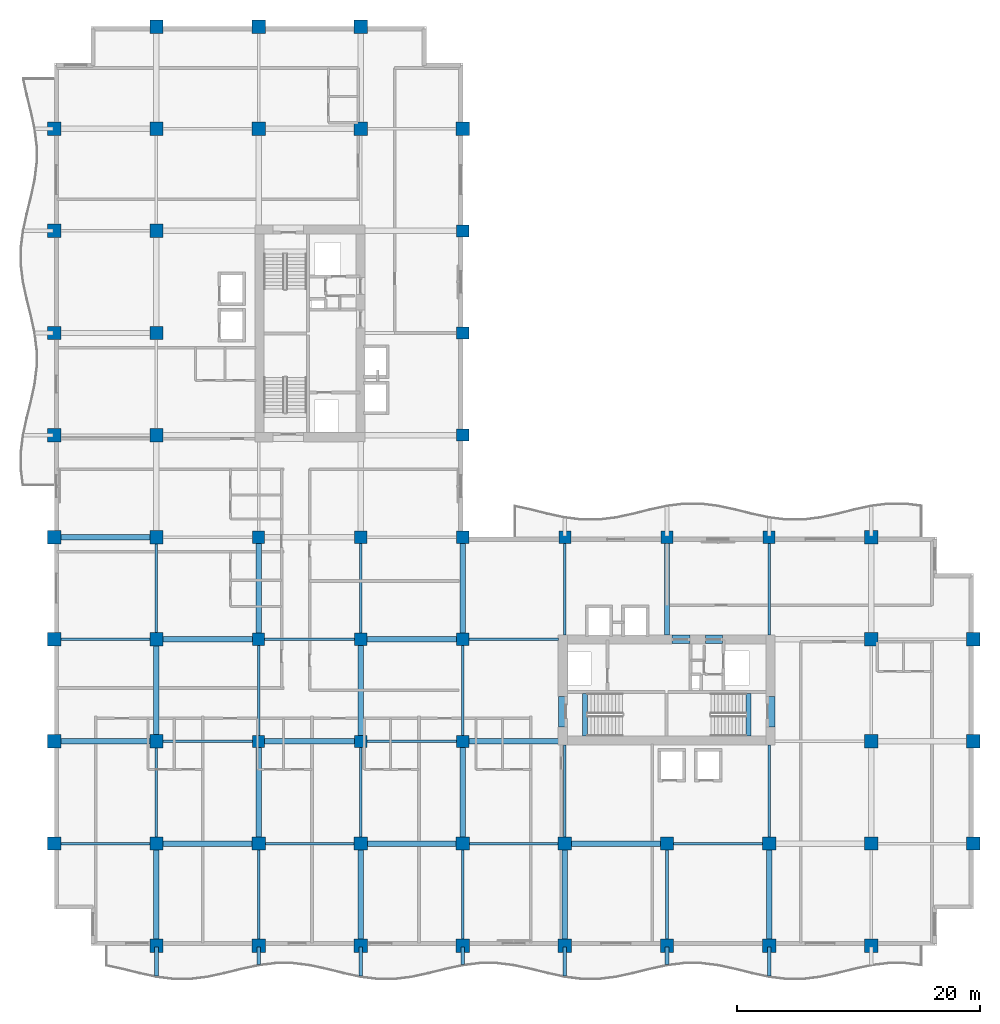
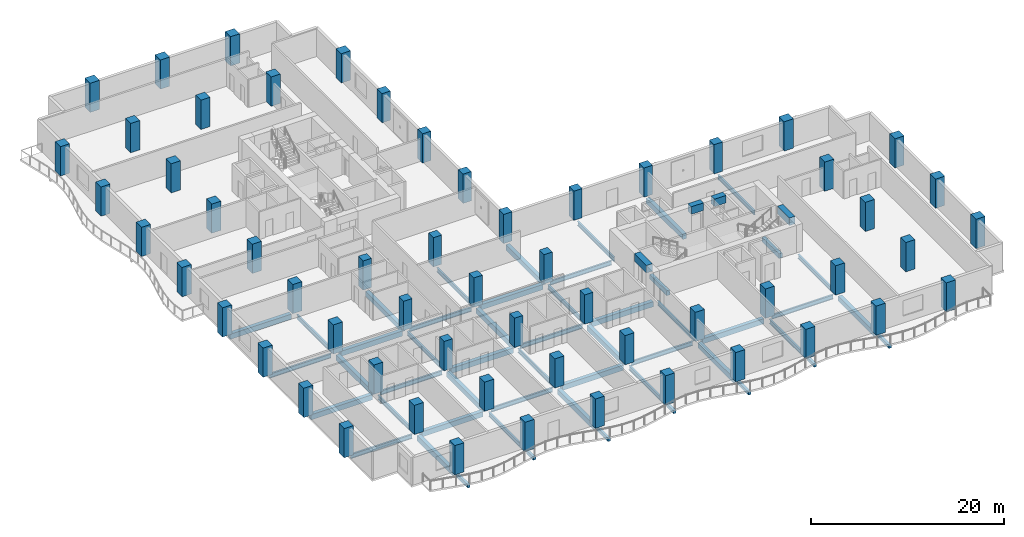
# One storey, part 1 of 16: 58 columns, 55 beams.
"""IFC4 building model written with IfcOpenShell, lengths in metres."""

from ifc_helpers import new_model, si_unit, direction, frame, origin, origin_2d, place, context, subcontext, project, spatial, rectangle, i_section, extrude, material, material_profile, profile_set, type_object, element, save


model = new_model("IFC4")

# Units and contexts
model_context = context("Model", 3, precision=1e-05, world=origin(), true_north=direction((0.0, 1.0)))
body_context = subcontext(model_context, "Body", "Model", "MODEL_VIEW")
ifc_project = project(units=[si_unit("LENGTHUNIT", "METRE"), si_unit("AREAUNIT", "SQUARE_METRE"), si_unit("VOLUMEUNIT", "CUBIC_METRE"), si_unit("PLANEANGLEUNIT", "RADIAN"), si_unit("MASSUNIT", "GRAM", prefix="KILO")], contexts=[model_context])

# Site, building, storey
site_placement = place(None, origin())
site = spatial("IfcSite", under=ifc_project, at=site_placement, CompositionType="ELEMENT")
building_placement = place(site_placement, origin())
building = spatial("IfcBuilding", under=site, at=building_placement, Name="Koriwani Terraces Tower", CompositionType="ELEMENT")
storey_placement = place(building_placement, frame((0.0, 0.0, 171.699951171875)))
storey = spatial("IfcBuildingStorey", under=building, at=storey_placement, Name="L41", CompositionType="ELEMENT", Elevation=171.699951171875)

# Columns
ifc_material_1 = material(Name="Concrete C50/60", Category="concrete")
ifc_material_profile_1 = material_profile(ifc_material_1, rectangle(XDim=1.0, YDim=1.0, at=origin_2d()), Name="Concrete C50/60", Category="LoadBearing")
ifc_profile_set_1 = profile_set([ifc_material_profile_1], Name="Concrete C50/60")
column_type_1 = type_object("IfcColumnType", Name="COL_RC_1000X1000", PredefinedType="COLUMN", material=ifc_profile_set_1)
for number, where, z_axis, x_axis, name in (
    (1, (16.800048828125, 16.800048828125, 0.0), (0.0, 0.0, 1.0), (1.0, 0.0, 0.0), "L41 Column 3/C"),
    (2, (16.800048828125, 25.199951171875, 0.0), (0.0, 0.0, 1.0), (1.0, 0.0, 0.0), "L41 Column 3/D"),
    (3, (16.800048828125, 33.60009765625, 0.0), (0.0, 0.0, 1.0), (1.0, 0.0, 0.0), "L41 Column 3/E"),
    (4, (25.199951171875, 16.800048828125, 0.0), (0.0, 0.0, 1.0), (1.0, 0.0, 0.0), "L41 Column 4/C"),
    (5, (25.199951171875, 25.199951171875, 0.0), (0.0, 0.0, 1.0), (1.0, 0.0, 0.0), "L41 Column 4/D"),
    (6, (25.199951171875, 33.60009765625, 0.0), (0.0, 0.0, 1.0), (1.0, 0.0, 0.0), "L41 Column 4/E"),
    (7, (33.60009765625, 16.800048828125, 0.0), (0.0, 0.0, 1.0), (1.0, 0.0, 0.0), "L41 Column 5/C"),
    (8, (33.60009765625, 25.199951171875, 0.0), (0.0, 0.0, 1.0), (1.0, 0.0, 0.0), "L41 Column 5/D"),
    (9, (33.60009765625, 33.60009765625, 0.0), (0.0, 0.0, 1.0), (1.0, 0.0, 0.0), "L41 Column 5/E"),
    (10, (33.60009765625, 42.0, 0.0), (0.0, 0.0, 1.0), (1.0, 0.0, 0.0), "L41 Column 5/F"),
    (11, (33.60009765625, 50.39990234375, 0.0), (0.0, 0.0, 1.0), (1.0, 0.0, 0.0), "L41 Column 5/G"),
    (12, (33.60009765625, 58.800048828125, 0.0), (0.0, 0.0, 1.0), (1.0, 0.0, 0.0), "L41 Column 5/H"),
    (13, (42.0, 33.60009765625, 0.0), (0.0, 0.0, 1.0), (1.0, 0.0, 0.0), "L41 Column 6/E"),
    (14, (50.39990234375, 33.60009765625, 0.0), (0.0, 0.0, 1.0), (1.0, 0.0, 0.0), "L41 Column 7/E"),
    (15, (58.800048828125, 33.60009765625, 0.0), (0.0, 0.0, 1.0), (1.0, 0.0, 0.0), "L41 Column 8/E"),
):
    element("IfcColumn", number, at=place(storey_placement, frame(where, z_axis=z_axis, x_axis=x_axis)), inside=storey, type_object=column_type_1, Name=name, PredefinedType="COLUMN", context=body_context, shape_type="SweptSolid", body=[
        extrude(rectangle(XDim=1.0, YDim=1.0, at=origin_2d()), origin(), (0.0, 0.0, 1.0), 3.699951171875),
    ])
ifc_material_profile_2 = material_profile(ifc_material_1, rectangle(XDim=1.10009765625, YDim=1.10009765625, at=origin_2d()), Name="Concrete C50/60", Category="LoadBearing")
ifc_profile_set_2 = profile_set([ifc_material_profile_2], Name="Concrete C50/60")
column_type_2 = type_object("IfcColumnType", Name="COL_RC_1100X1100", PredefinedType="COLUMN", material=ifc_profile_set_2)
for number, where, z_axis, x_axis, name in (
    (16, (0.0, 8.39990234375, 0.0), (0.0, 0.0, 1.0), (1.0, 0.0, 0.0), "L41 Column 1/B"),
    (17, (0.0, 16.800048828125, 0.0), (0.0, 0.0, 1.0), (1.0, 0.0, 0.0), "L41 Column 1/C"),
    (18, (0.0, 25.199951171875, 0.0), (0.0, 0.0, 1.0), (1.0, 0.0, 0.0), "L41 Column 1/D"),
    (19, (0.0, 33.60009765625, 0.0), (0.0, 0.0, 1.0), (1.0, 0.0, 0.0), "L41 Column 1/E"),
    (20, (0.0, 42.0, 0.0), (0.0, 0.0, 1.0), (1.0, 0.0, 0.0), "L41 Column 1/F"),
    (21, (0.0, 50.39990234375, 0.0), (0.0, 0.0, 1.0), (1.0, 0.0, 0.0), "L41 Column 1/G"),
    (22, (0.0, 58.800048828125, 0.0), (0.0, 0.0, 1.0), (1.0, 0.0, 0.0), "L41 Column 1/H"),
    (23, (0.0, 67.199951171875, 0.0), (0.0, 0.0, 1.0), (1.0, 0.0, 0.0), "L41 Column 1/I"),
    (24, (8.39990234375, 0.0, 0.0), (0.0, 0.0, 1.0), (1.0, 0.0, 0.0), "L41 Column 2/A"),
    (25, (8.39990234375, 8.39990234375, 0.0), (0.0, 0.0, 1.0), (1.0, 0.0, 0.0), "L41 Column 2/B"),
    (26, (8.39990234375, 16.800048828125, 0.0), (0.0, 0.0, 1.0), (1.0, 0.0, 0.0), "L41 Column 2/C"),
    (27, (8.39990234375, 25.199951171875, 0.0), (0.0, 0.0, 1.0), (1.0, 0.0, 0.0), "L41 Column 2/D"),
    (28, (8.39990234375, 33.60009765625, 0.0), (0.0, 0.0, 1.0), (1.0, 0.0, 0.0), "L41 Column 2/E"),
    (29, (8.39990234375, 42.0, 0.0), (0.0, 0.0, 1.0), (1.0, 0.0, 0.0), "L41 Column 2/F"),
    (30, (8.39990234375, 50.39990234375, 0.0), (0.0, 0.0, 1.0), (1.0, 0.0, 0.0), "L41 Column 2/G"),
    (31, (8.39990234375, 58.800048828125, 0.0), (0.0, 0.0, 1.0), (1.0, 0.0, 0.0), "L41 Column 2/H"),
    (32, (8.39990234375, 67.199951171875, 0.0), (0.0, 0.0, 1.0), (1.0, 0.0, 0.0), "L41 Column 2/I"),
    (33, (8.39990234375, 75.60009765625, 0.0), (0.0, 0.0, 1.0), (1.0, 0.0, 0.0), "L41 Column 2/J"),
    (34, (16.800048828125, 0.0, 0.0), (0.0, 0.0, 1.0), (1.0, 0.0, 0.0), "L41 Column 3/A"),
    (35, (16.800048828125, 8.39990234375, 0.0), (0.0, 0.0, 1.0), (1.0, 0.0, 0.0), "L41 Column 3/B"),
    (36, (16.800048828125, 67.199951171875, 0.0), (0.0, 0.0, 1.0), (1.0, 0.0, 0.0), "L41 Column 3/I"),
    (37, (16.800048828125, 75.60009765625, 0.0), (0.0, 0.0, 1.0), (1.0, 0.0, 0.0), "L41 Column 3/J"),
    (38, (25.199951171875, 0.0, 0.0), (0.0, 0.0, 1.0), (1.0, 0.0, 0.0), "L41 Column 4/A"),
    (39, (25.199951171875, 8.39990234375, 0.0), (0.0, 0.0, 1.0), (1.0, 0.0, 0.0), "L41 Column 4/B"),
    (40, (25.199951171875, 67.199951171875, 0.0), (0.0, 0.0, 1.0), (1.0, 0.0, 0.0), "L41 Column 4/I"),
    (41, (25.199951171875, 75.60009765625, 0.0), (0.0, 0.0, 1.0), (1.0, 0.0, 0.0), "L41 Column 4/J"),
    (42, (33.60009765625, 0.0, 0.0), (0.0, 0.0, 1.0), (1.0, 0.0, 0.0), "L41 Column 5/A"),
    (43, (33.60009765625, 8.39990234375, 0.0), (0.0, 0.0, 1.0), (1.0, 0.0, 0.0), "L41 Column 5/B"),
    (44, (33.60009765625, 67.199951171875, 0.0), (0.0, 0.0, 1.0), (1.0, 0.0, 0.0), "L41 Column 5/I"),
    (45, (42.0, 0.0, 0.0), (0.0, 0.0, 1.0), (1.0, 0.0, 0.0), "L41 Column 6/A"),
    (46, (42.0, 8.39990234375, 0.0), (0.0, 0.0, 1.0), (1.0, 0.0, 0.0), "L41 Column 6/B"),
    (47, (50.39990234375, 0.0, 0.0), (0.0, 0.0, 1.0), (1.0, 0.0, 0.0), "L41 Column 7/A"),
    (48, (50.39990234375, 8.39990234375, 0.0), (0.0, 0.0, 1.0), (1.0, 0.0, 0.0), "L41 Column 7/B"),
    (49, (58.800048828125, 0.0, 0.0), (0.0, 0.0, 1.0), (1.0, 0.0, 0.0), "L41 Column 8/A"),
    (50, (58.800048828125, 8.39990234375, 0.0), (0.0, 0.0, 1.0), (1.0, 0.0, 0.0), "L41 Column 8/B"),
    (51, (67.199951171875, 0.0, 0.0), (0.0, 0.0, 1.0), (1.0, 0.0, 0.0), "L41 Column 9/A"),
    (52, (67.199951171875, 8.39990234375, 0.0), (0.0, 0.0, 1.0), (1.0, 0.0, 0.0), "L41 Column 9/B"),
    (53, (67.199951171875, 16.800048828125, 0.0), (0.0, 0.0, 1.0), (1.0, 0.0, 0.0), "L41 Column 9/C"),
    (54, (67.199951171875, 25.199951171875, 0.0), (0.0, 0.0, 1.0), (1.0, 0.0, 0.0), "L41 Column 9/D"),
    (55, (67.199951171875, 33.60009765625, 0.0), (0.0, 0.0, 1.0), (1.0, 0.0, 0.0), "L41 Column 9/E"),
    (56, (75.60009765625, 8.39990234375, 0.0), (0.0, 0.0, 1.0), (1.0, 0.0, 0.0), "L41 Column 10/B"),
    (57, (75.60009765625, 16.800048828125, 0.0), (0.0, 0.0, 1.0), (1.0, 0.0, 0.0), "L41 Column 10/C"),
    (58, (75.60009765625, 25.199951171875, 0.0), (0.0, 0.0, 1.0), (1.0, 0.0, 0.0), "L41 Column 10/D"),
):
    element("IfcColumn", number, at=place(storey_placement, frame(where, z_axis=z_axis, x_axis=x_axis)), inside=storey, type_object=column_type_2, Name=name, PredefinedType="COLUMN", context=body_context, shape_type="SweptSolid", body=[
        extrude(rectangle(XDim=1.10009765625, YDim=1.10009765625, at=origin_2d()), origin(), (0.0, 0.0, 1.0), 3.699951171875),
    ])

# Beams
ifc_material_2 = material(Name="Concrete C40/50", Category="concrete")
ifc_material_profile_3 = material_profile(ifc_material_2, rectangle(XDim=0.300048828125, YDim=0.39990234375, at=origin_2d()), Name="Concrete C40/50", Category="LoadBearing")
ifc_profile_set_3 = profile_set([ifc_material_profile_3], Name="Concrete C40/50")
beam_type_1 = type_object("IfcBeamType", Name="BEAM_RC_BALCONY_RIB_300X400", PredefinedType="JOIST", material=ifc_profile_set_3)
beam_1_placement = place(storey_placement, frame((8.39990234375, -2.502197265625, -0.429931640625), z_axis=(0.0, 1.0, 0.0), x_axis=(-1.0, 0.0, 0.0)))
element("IfcBeam", 59, at=beam_1_placement, inside=storey, type_object=beam_type_1, Name="L41 Balcony Bracket Rib S-1", PredefinedType="JOIST", context=body_context, shape_type="SweptSolid", body=[
    extrude(rectangle(XDim=0.300048828125, YDim=0.39990234375, at=origin_2d()), origin(), (0.0, 0.0, 1.0), 2.402099609375),
])
beam_2_placement = place(storey_placement, frame((16.800048828125, -1.547607421875, -0.429931640625), z_axis=(0.0, 1.0, 0.0), x_axis=(-1.0, 0.0, 0.0)))
element("IfcBeam", 60, at=beam_2_placement, inside=storey, type_object=beam_type_1, Name="L41 Balcony Bracket Rib S-2", PredefinedType="JOIST", context=body_context, shape_type="SweptSolid", body=[
    extrude(rectangle(XDim=0.300048828125, YDim=0.39990234375, at=origin_2d()), origin(), (0.0, 0.0, 1.0), 1.447509765625),
])
beam_3_placement = place(storey_placement, frame((25.199951171875, -2.502197265625, -0.429931640625), z_axis=(0.0, 1.0, 0.0), x_axis=(-1.0, 0.0, 0.0)))
element("IfcBeam", 61, at=beam_3_placement, inside=storey, type_object=beam_type_1, Name="L41 Balcony Bracket Rib S-3", PredefinedType="JOIST", context=body_context, shape_type="SweptSolid", body=[
    extrude(rectangle(XDim=0.300048828125, YDim=0.39990234375, at=origin_2d()), origin(), (0.0, 0.0, 1.0), 2.402099609375),
])
beam_4_placement = place(storey_placement, frame((33.60009765625, -1.547607421875, -0.429931640625), z_axis=(0.0, 1.0, 0.0), x_axis=(-1.0, 0.0, 0.0)))
element("IfcBeam", 62, at=beam_4_placement, inside=storey, type_object=beam_type_1, Name="L41 Balcony Bracket Rib S-4", PredefinedType="JOIST", context=body_context, shape_type="SweptSolid", body=[
    extrude(rectangle(XDim=0.300048828125, YDim=0.39990234375, at=origin_2d()), origin(), (0.0, 0.0, 1.0), 1.447509765625),
])
beam_5_placement = place(storey_placement, frame((42.0, -2.502197265625, -0.429931640625), z_axis=(0.0, 1.0, 0.0), x_axis=(-1.0, 0.0, 0.0)))
element("IfcBeam", 63, at=beam_5_placement, inside=storey, type_object=beam_type_1, Name="L41 Balcony Bracket Rib S-5", PredefinedType="JOIST", context=body_context, shape_type="SweptSolid", body=[
    extrude(rectangle(XDim=0.300048828125, YDim=0.39990234375, at=origin_2d()), origin(), (0.0, 0.0, 1.0), 2.402099609375),
])
beam_6_placement = place(storey_placement, frame((50.39990234375, -1.547607421875, -0.429931640625), z_axis=(0.0, 1.0, 0.0), x_axis=(-1.0, 0.0, 0.0)))
element("IfcBeam", 64, at=beam_6_placement, inside=storey, type_object=beam_type_1, Name="L41 Balcony Bracket Rib S-6", PredefinedType="JOIST", context=body_context, shape_type="SweptSolid", body=[
    extrude(rectangle(XDim=0.300048828125, YDim=0.39990234375, at=origin_2d()), origin(), (0.0, 0.0, 1.0), 1.447509765625),
])
beam_7_placement = place(storey_placement, frame((58.800048828125, -2.502197265625, -0.429931640625), z_axis=(0.0, 1.0, 0.0), x_axis=(-1.0, 0.0, 0.0)))
element("IfcBeam", 65, at=beam_7_placement, inside=storey, type_object=beam_type_1, Name="L41 Balcony Bracket Rib S-7", PredefinedType="JOIST", context=body_context, shape_type="SweptSolid", body=[
    extrude(rectangle(XDim=0.300048828125, YDim=0.39990234375, at=origin_2d()), origin(), (0.0, 0.0, 1.0), 2.402099609375),
])
ifc_material_3 = material(Name="Concrete C60/75", Category="concrete")
ifc_material_profile_4 = material_profile(ifc_material_3, rectangle(XDim=0.699951171875, YDim=0.949951171875, at=origin_2d()), Name="Concrete C60/75", Category="LoadBearing")
ifc_profile_set_4 = profile_set([ifc_material_profile_4], Name="Concrete C60/75")
beam_type_2 = type_object("IfcBeamType", Name="BEAM_RC_COUPLING_700X950", PredefinedType="LINTEL", material=ifc_profile_set_4)
beam_8_placement = place(storey_placement, frame((50.800048828125, 25.199951171875, 2.9951171875), z_axis=(1.0, 0.0, 0.0), x_axis=(0.0, 1.0, 0.0)))
element("IfcBeam", 66, at=beam_8_placement, inside=storey, type_object=beam_type_2, Name="L41 Core Coupling Lintel Beam EN1", PredefinedType="LINTEL", context=body_context, shape_type="SweptSolid", body=[
    extrude(rectangle(XDim=0.699951171875, YDim=0.949951171875, at=origin_2d()), origin(), (0.0, 0.0, 1.0), 1.47998046875),
])
beam_9_placement = place(storey_placement, frame((53.550048828125, 25.199951171875, 2.9951171875), z_axis=(1.0, 0.0, 0.0), x_axis=(0.0, 1.0, 0.0)))
element("IfcBeam", 67, at=beam_9_placement, inside=storey, type_object=beam_type_2, Name="L41 Core Coupling Lintel Beam EN2", PredefinedType="LINTEL", context=body_context, shape_type="SweptSolid", body=[
    extrude(rectangle(XDim=0.699951171875, YDim=0.949951171875, at=origin_2d()), origin(), (0.0, 0.0, 1.0), 1.39990234375),
])
for number, where, z_axis, x_axis, name in (
    (68, (41.824951171875, 18.0, 2.9951171875), (0.0, 1.0, 0.0), (-1.0, 0.0, 0.0), "L41 Core Coupling Lintel Beam EW"),
    (69, (58.925048828125, 18.0, 2.9951171875), (0.0, 1.0, 0.0), (-1.0, 0.0, 0.0), "L41 Core Coupling Lintel Beam EE"),
):
    element("IfcBeam", number, at=place(storey_placement, frame(where, z_axis=z_axis, x_axis=x_axis)), inside=storey, type_object=beam_type_2, Name=name, PredefinedType="LINTEL", context=body_context, shape_type="SweptSolid", body=[
        extrude(rectangle(XDim=0.699951171875, YDim=0.949951171875, at=origin_2d()), origin(), (0.0, 0.0, 1.0), 2.5),
    ])
ifc_material_profile_5 = material_profile(ifc_material_2, rectangle(XDim=0.39990234375, YDim=0.60009765625, at=origin_2d()), Name="Concrete C40/50", Category="LoadBearing")
ifc_profile_set_5 = profile_set([ifc_material_profile_5], Name="Concrete C40/50")
beam_type_3 = type_object("IfcBeamType", Name="BEAM_RC_GRID_400X600", PredefinedType="BEAM", material=ifc_profile_set_5)
for number, where, z_axis, x_axis, name in (
    (70, (43.655029296875, 17.25, -0.300048828125), (0.0, 1.0, 0.0), (-1.0, 0.0, 0.0), "L41 Stairwell Header Trimmer Beam ST-E1"),
    (71, (57.094970703125, 17.25, -0.300048828125), (0.0, 1.0, 0.0), (-1.0, 0.0, 0.0), "L41 Stairwell Header Trimmer Beam ST-E2"),
):
    element("IfcBeam", number, at=place(storey_placement, frame(where, z_axis=z_axis, x_axis=x_axis)), inside=storey, type_object=beam_type_3, Name=name, PredefinedType="BEAM", context=body_context, shape_type="SweptSolid", body=[
        extrude(rectangle(XDim=0.39990234375, YDim=0.60009765625, at=origin_2d()), origin(), (0.0, 0.0, 1.0), 3.5),
    ])
ifc_material_profile_6 = material_profile(ifc_material_1, rectangle(XDim=0.449951171875, YDim=0.64990234375, at=origin_2d()), Name="Concrete C50/60", Category="LoadBearing")
ifc_profile_set_6 = profile_set([ifc_material_profile_6], Name="Concrete C50/60")
beam_type_4 = type_object("IfcBeamType", Name="BEAM_RC_GRID_450X650", PredefinedType="BEAM", material=ifc_profile_set_6)
for number, where, z_axis, x_axis, name in (
    (72, (8.929931640625, 8.39990234375, -0.554931640625), (1.0, 0.0, 0.0), (0.0, 1.0, 0.0), "L41 Grid Beam B (8.4-16.8m)"),
    (73, (25.72998046875, 8.39990234375, -0.554931640625), (1.0, 0.0, 0.0), (0.0, 1.0, 0.0), "L41 Grid Beam B (25.2-33.6m)"),
    (74, (42.530029296875, 8.39990234375, -0.554931640625), (1.0, 0.0, 0.0), (0.0, 1.0, 0.0), "L41 Grid Beam B (42.0-50.4m)"),
    (75, (0.530029296875, 16.800048828125, -0.554931640625), (1.0, 0.0, 0.0), (0.0, 1.0, 0.0), "L41 Grid Beam C (0.0-8.4m)"),
):
    element("IfcBeam", number, at=place(storey_placement, frame(where, z_axis=z_axis, x_axis=x_axis)), inside=storey, type_object=beam_type_4, Name=name, PredefinedType="BEAM", context=body_context, shape_type="SweptSolid", body=[
        extrude(rectangle(XDim=0.449951171875, YDim=0.64990234375, at=origin_2d()), origin(), (0.0, 0.0, 1.0), 7.340087890625),
    ])
beam_10_placement = place(storey_placement, frame((17.280029296875, 16.800048828125, -0.554931640625), z_axis=(1.0, 0.0, 0.0), x_axis=(0.0, 1.0, 0.0)))
element("IfcBeam", 76, at=beam_10_placement, inside=storey, type_object=beam_type_4, Name="L41 Grid Beam C (16.8-25.2m)", PredefinedType="BEAM", context=body_context, shape_type="SweptSolid", body=[
    extrude(rectangle(XDim=0.449951171875, YDim=0.64990234375, at=origin_2d()), origin(), (0.0, 0.0, 1.0), 7.43994140625),
])
beam_11_placement = place(storey_placement, frame((34.080078125, 16.800048828125, -0.554931640625), z_axis=(1.0, 0.0, 0.0), x_axis=(0.0, 1.0, 0.0)))
element("IfcBeam", 77, at=beam_11_placement, inside=storey, type_object=beam_type_4, Name="L41 Grid Beam C (33.6-42.0m)", PredefinedType="BEAM", context=body_context, shape_type="SweptSolid", body=[
    extrude(rectangle(XDim=0.449951171875, YDim=0.64990234375, at=origin_2d()), origin(), (0.0, 0.0, 1.0), 7.389892578125),
])
beam_12_placement = place(storey_placement, frame((8.929931640625, 25.199951171875, -0.554931640625), z_axis=(1.0, 0.0, 0.0), x_axis=(0.0, 1.0, 0.0)))
element("IfcBeam", 78, at=beam_12_placement, inside=storey, type_object=beam_type_4, Name="L41 Grid Beam D (8.4-16.8m)", PredefinedType="BEAM", context=body_context, shape_type="SweptSolid", body=[
    extrude(rectangle(XDim=0.449951171875, YDim=0.64990234375, at=origin_2d()), origin(), (0.0, 0.0, 1.0), 7.39013671875),
])
beam_13_placement = place(storey_placement, frame((25.679931640625, 25.199951171875, -0.554931640625), z_axis=(1.0, 0.0, 0.0), x_axis=(0.0, 1.0, 0.0)))
element("IfcBeam", 79, at=beam_13_placement, inside=storey, type_object=beam_type_4, Name="L41 Grid Beam D (25.2-33.6m)", PredefinedType="BEAM", context=body_context, shape_type="SweptSolid", body=[
    extrude(rectangle(XDim=0.449951171875, YDim=0.64990234375, at=origin_2d()), origin(), (0.0, 0.0, 1.0), 7.440185546875),
])
for number, where, z_axis, x_axis, name in (
    (80, (0.530029296875, 33.60009765625, -0.554931640625), (1.0, 0.0, 0.0), (0.0, 1.0, 0.0), "L41 Grid Beam E (0.0-8.4m)"),
    (81, (8.39990234375, 0.530029296875, -0.554931640625), (0.0, 1.0, 0.0), (-1.0, 0.0, 0.0), "L41 Grid Beam 2 (0.0-8.4m)"),
):
    element("IfcBeam", number, at=place(storey_placement, frame(where, z_axis=z_axis, x_axis=x_axis)), inside=storey, type_object=beam_type_4, Name=name, PredefinedType="BEAM", context=body_context, shape_type="SweptSolid", body=[
        extrude(rectangle(XDim=0.449951171875, YDim=0.64990234375, at=origin_2d()), origin(), (0.0, 0.0, 1.0), 7.340087890625),
    ])
beam_14_placement = place(storey_placement, frame((8.39990234375, 17.330078125, -0.554931640625), z_axis=(0.0, 1.0, 0.0), x_axis=(-1.0, 0.0, 0.0)))
element("IfcBeam", 82, at=beam_14_placement, inside=storey, type_object=beam_type_4, Name="L41 Grid Beam 2 (16.8-25.2m)", PredefinedType="BEAM", context=body_context, shape_type="SweptSolid", body=[
    extrude(rectangle(XDim=0.449951171875, YDim=0.64990234375, at=origin_2d()), origin(), (0.0, 0.0, 1.0), 7.33984375),
])
beam_15_placement = place(storey_placement, frame((16.800048828125, 8.929931640625, -0.554931640625), z_axis=(0.0, 1.0, 0.0), x_axis=(-1.0, 0.0, 0.0)))
element("IfcBeam", 83, at=beam_15_placement, inside=storey, type_object=beam_type_4, Name="L41 Grid Beam 3 (8.4-16.8m)", PredefinedType="BEAM", context=body_context, shape_type="SweptSolid", body=[
    extrude(rectangle(XDim=0.449951171875, YDim=0.64990234375, at=origin_2d()), origin(), (0.0, 0.0, 1.0), 7.39013671875),
])
beam_16_placement = place(storey_placement, frame((16.800048828125, 25.679931640625, -0.554931640625), z_axis=(0.0, 1.0, 0.0), x_axis=(-1.0, 0.0, 0.0)))
element("IfcBeam", 84, at=beam_16_placement, inside=storey, type_object=beam_type_4, Name="L41 Grid Beam 3 (25.2-33.6m)", PredefinedType="BEAM", context=body_context, shape_type="SweptSolid", body=[
    extrude(rectangle(XDim=0.449951171875, YDim=0.64990234375, at=origin_2d()), origin(), (0.0, 0.0, 1.0), 7.440185546875),
])
beam_17_placement = place(storey_placement, frame((25.199951171875, 0.530029296875, -0.554931640625), z_axis=(0.0, 1.0, 0.0), x_axis=(-1.0, 0.0, 0.0)))
element("IfcBeam", 85, at=beam_17_placement, inside=storey, type_object=beam_type_4, Name="L41 Grid Beam 4 (0.0-8.4m)", PredefinedType="BEAM", context=body_context, shape_type="SweptSolid", body=[
    extrude(rectangle(XDim=0.449951171875, YDim=0.64990234375, at=origin_2d()), origin(), (0.0, 0.0, 1.0), 7.340087890625),
])
beam_18_placement = place(storey_placement, frame((25.199951171875, 17.280029296875, -0.554931640625), z_axis=(0.0, 1.0, 0.0), x_axis=(-1.0, 0.0, 0.0)))
element("IfcBeam", 86, at=beam_18_placement, inside=storey, type_object=beam_type_4, Name="L41 Grid Beam 4 (16.8-25.2m)", PredefinedType="BEAM", context=body_context, shape_type="SweptSolid", body=[
    extrude(rectangle(XDim=0.449951171875, YDim=0.64990234375, at=origin_2d()), origin(), (0.0, 0.0, 1.0), 7.43994140625),
])
beam_19_placement = place(storey_placement, frame((33.60009765625, 8.929931640625, -0.554931640625), z_axis=(0.0, 1.0, 0.0), x_axis=(-1.0, 0.0, 0.0)))
element("IfcBeam", 87, at=beam_19_placement, inside=storey, type_object=beam_type_4, Name="L41 Grid Beam 5 (8.4-16.8m)", PredefinedType="BEAM", context=body_context, shape_type="SweptSolid", body=[
    extrude(rectangle(XDim=0.449951171875, YDim=0.64990234375, at=origin_2d()), origin(), (0.0, 0.0, 1.0), 7.39013671875),
])
beam_20_placement = place(storey_placement, frame((33.60009765625, 25.679931640625, -0.554931640625), z_axis=(0.0, 1.0, 0.0), x_axis=(-1.0, 0.0, 0.0)))
element("IfcBeam", 88, at=beam_20_placement, inside=storey, type_object=beam_type_4, Name="L41 Grid Beam 5 (25.2-33.6m)", PredefinedType="BEAM", context=body_context, shape_type="SweptSolid", body=[
    extrude(rectangle(XDim=0.449951171875, YDim=0.64990234375, at=origin_2d()), origin(), (0.0, 0.0, 1.0), 7.440185546875),
])
beam_21_placement = place(storey_placement, frame((42.0, 0.530029296875, -0.554931640625), z_axis=(0.0, 1.0, 0.0), x_axis=(-1.0, 0.0, 0.0)))
element("IfcBeam", 89, at=beam_21_placement, inside=storey, type_object=beam_type_4, Name="L41 Grid Beam 6 (0.0-8.4m)", PredefinedType="BEAM", context=body_context, shape_type="SweptSolid", body=[
    extrude(rectangle(XDim=0.449951171875, YDim=0.64990234375, at=origin_2d()), origin(), (0.0, 0.0, 1.0), 7.340087890625),
])
beam_22_placement = place(storey_placement, frame((50.39990234375, 25.554931640625, -0.554931640625), z_axis=(0.0, 1.0, 0.0), x_axis=(-1.0, 0.0, 0.0)))
element("IfcBeam", 90, at=beam_22_placement, inside=storey, type_object=beam_type_4, Name="L41 Grid Beam 7 (25.2-33.6m)", PredefinedType="BEAM", context=body_context, shape_type="SweptSolid", body=[
    extrude(rectangle(XDim=0.449951171875, YDim=0.64990234375, at=origin_2d()), origin(), (0.0, 0.0, 1.0), 7.565185546875),
])
beam_23_placement = place(storey_placement, frame((58.800048828125, 0.530029296875, -0.554931640625), z_axis=(0.0, 1.0, 0.0), x_axis=(-1.0, 0.0, 0.0)))
element("IfcBeam", 91, at=beam_23_placement, inside=storey, type_object=beam_type_4, Name="L41 Grid Beam 8 (0.0-8.4m)", PredefinedType="BEAM", context=body_context, shape_type="SweptSolid", body=[
    extrude(rectangle(XDim=0.449951171875, YDim=0.64990234375, at=origin_2d()), origin(), (0.0, 0.0, 1.0), 7.340087890625),
])
ifc_material_4 = material(Name="Steel ASTM A572 Grade 50", Category="steel")
ifc_material_profile_7 = material_profile(ifc_material_4, i_section(OverallWidth=0.2109375, OverallDepth=0.5390625, WebThickness=0.01171875, FlangeThickness=0.018798828125, at=origin_2d()), Name="Steel ASTM A572 Grade 50", Category="LoadBearing")
ifc_profile_set_7 = profile_set([ifc_material_profile_7], Name="Steel ASTM A572 Grade 50")
beam_type_5 = type_object("IfcBeamType", Name="STEEL_BEAM_W530X109", PredefinedType="BEAM", material=ifc_profile_set_7)
beam_24_placement = place(storey_placement, frame((0.530029296875, 8.39990234375, -0.49951171875), z_axis=(1.0, 0.0, 0.0), x_axis=(0.0, 1.0, 0.0)))
element("IfcBeam", 92, at=beam_24_placement, inside=storey, type_object=beam_type_5, Name="L41 Grid Beam B (0.0-8.4m)", PredefinedType="BEAM", context=body_context, shape_type="SweptSolid", body=[
    extrude(i_section(OverallWidth=0.2109375, OverallDepth=0.5390625, WebThickness=0.01171875, FlangeThickness=0.018798828125, at=origin_2d()), origin(), (0.0, 0.0, 1.0), 7.340087890625),
])
beam_25_placement = place(storey_placement, frame((17.330078125, 8.39990234375, -0.49951171875), z_axis=(1.0, 0.0, 0.0), x_axis=(0.0, 1.0, 0.0)))
element("IfcBeam", 93, at=beam_25_placement, inside=storey, type_object=beam_type_5, Name="L41 Grid Beam B (16.8-25.2m)", PredefinedType="BEAM", context=body_context, shape_type="SweptSolid", body=[
    extrude(i_section(OverallWidth=0.2109375, OverallDepth=0.5390625, WebThickness=0.01171875, FlangeThickness=0.018798828125, at=origin_2d()), origin(), (0.0, 0.0, 1.0), 7.33984375),
])
for number, where, z_axis, x_axis, name in (
    (94, (34.1298828125, 8.39990234375, -0.49951171875), (1.0, 0.0, 0.0), (0.0, 1.0, 0.0), "L41 Grid Beam B (33.6-42.0m)"),
    (95, (50.929931640625, 8.39990234375, -0.49951171875), (1.0, 0.0, 0.0), (0.0, 1.0, 0.0), "L41 Grid Beam B (50.4-58.8m)"),
):
    element("IfcBeam", number, at=place(storey_placement, frame(where, z_axis=z_axis, x_axis=x_axis)), inside=storey, type_object=beam_type_5, Name=name, PredefinedType="BEAM", context=body_context, shape_type="SweptSolid", body=[
        extrude(i_section(OverallWidth=0.2109375, OverallDepth=0.5390625, WebThickness=0.01171875, FlangeThickness=0.018798828125, at=origin_2d()), origin(), (0.0, 0.0, 1.0), 7.340087890625),
    ])
beam_26_placement = place(storey_placement, frame((8.929931640625, 16.800048828125, -0.49951171875), z_axis=(1.0, 0.0, 0.0), x_axis=(0.0, 1.0, 0.0)))
element("IfcBeam", 96, at=beam_26_placement, inside=storey, type_object=beam_type_5, Name="L41 Grid Beam C (8.4-16.8m)", PredefinedType="BEAM", context=body_context, shape_type="SweptSolid", body=[
    extrude(i_section(OverallWidth=0.2109375, OverallDepth=0.5390625, WebThickness=0.01171875, FlangeThickness=0.018798828125, at=origin_2d()), origin(), (0.0, 0.0, 1.0), 7.39013671875),
])
beam_27_placement = place(storey_placement, frame((25.679931640625, 16.800048828125, -0.49951171875), z_axis=(1.0, 0.0, 0.0), x_axis=(0.0, 1.0, 0.0)))
element("IfcBeam", 97, at=beam_27_placement, inside=storey, type_object=beam_type_5, Name="L41 Grid Beam C (25.2-33.6m)", PredefinedType="BEAM", context=body_context, shape_type="SweptSolid", body=[
    extrude(i_section(OverallWidth=0.2109375, OverallDepth=0.5390625, WebThickness=0.01171875, FlangeThickness=0.018798828125, at=origin_2d()), origin(), (0.0, 0.0, 1.0), 7.440185546875),
])
beam_28_placement = place(storey_placement, frame((0.530029296875, 25.199951171875, -0.49951171875), z_axis=(1.0, 0.0, 0.0), x_axis=(0.0, 1.0, 0.0)))
element("IfcBeam", 98, at=beam_28_placement, inside=storey, type_object=beam_type_5, Name="L41 Grid Beam D (0.0-8.4m)", PredefinedType="BEAM", context=body_context, shape_type="SweptSolid", body=[
    extrude(i_section(OverallWidth=0.2109375, OverallDepth=0.5390625, WebThickness=0.01171875, FlangeThickness=0.018798828125, at=origin_2d()), origin(), (0.0, 0.0, 1.0), 7.340087890625),
])
beam_29_placement = place(storey_placement, frame((17.280029296875, 25.199951171875, -0.49951171875), z_axis=(1.0, 0.0, 0.0), x_axis=(0.0, 1.0, 0.0)))
element("IfcBeam", 99, at=beam_29_placement, inside=storey, type_object=beam_type_5, Name="L41 Grid Beam D (16.8-25.2m)", PredefinedType="BEAM", context=body_context, shape_type="SweptSolid", body=[
    extrude(i_section(OverallWidth=0.2109375, OverallDepth=0.5390625, WebThickness=0.01171875, FlangeThickness=0.018798828125, at=origin_2d()), origin(), (0.0, 0.0, 1.0), 7.43994140625),
])
beam_30_placement = place(storey_placement, frame((34.080078125, 25.199951171875, -0.49951171875), z_axis=(1.0, 0.0, 0.0), x_axis=(0.0, 1.0, 0.0)))
element("IfcBeam", 100, at=beam_30_placement, inside=storey, type_object=beam_type_5, Name="L41 Grid Beam D (33.6-42.0m)", PredefinedType="BEAM", context=body_context, shape_type="SweptSolid", body=[
    extrude(i_section(OverallWidth=0.2109375, OverallDepth=0.5390625, WebThickness=0.01171875, FlangeThickness=0.018798828125, at=origin_2d()), origin(), (0.0, 0.0, 1.0), 7.389892578125),
])
for number, where, z_axis, x_axis, name in (
    (101, (8.39990234375, 8.929931640625, -0.49951171875), (0.0, 1.0, 0.0), (-1.0, 0.0, 0.0), "L41 Grid Beam 2 (8.4-16.8m)"),
    (102, (8.39990234375, 25.72998046875, -0.49951171875), (0.0, 1.0, 0.0), (-1.0, 0.0, 0.0), "L41 Grid Beam 2 (25.2-33.6m)"),
    (103, (16.800048828125, 0.530029296875, -0.49951171875), (0.0, 1.0, 0.0), (-1.0, 0.0, 0.0), "L41 Grid Beam 3 (0.0-8.4m)"),
):
    element("IfcBeam", number, at=place(storey_placement, frame(where, z_axis=z_axis, x_axis=x_axis)), inside=storey, type_object=beam_type_5, Name=name, PredefinedType="BEAM", context=body_context, shape_type="SweptSolid", body=[
        extrude(i_section(OverallWidth=0.2109375, OverallDepth=0.5390625, WebThickness=0.01171875, FlangeThickness=0.018798828125, at=origin_2d()), origin(), (0.0, 0.0, 1.0), 7.340087890625),
    ])
beam_31_placement = place(storey_placement, frame((16.800048828125, 17.280029296875, -0.49951171875), z_axis=(0.0, 1.0, 0.0), x_axis=(-1.0, 0.0, 0.0)))
element("IfcBeam", 104, at=beam_31_placement, inside=storey, type_object=beam_type_5, Name="L41 Grid Beam 3 (16.8-25.2m)", PredefinedType="BEAM", context=body_context, shape_type="SweptSolid", body=[
    extrude(i_section(OverallWidth=0.2109375, OverallDepth=0.5390625, WebThickness=0.01171875, FlangeThickness=0.018798828125, at=origin_2d()), origin(), (0.0, 0.0, 1.0), 7.43994140625),
])
beam_32_placement = place(storey_placement, frame((25.199951171875, 8.929931640625, -0.49951171875), z_axis=(0.0, 1.0, 0.0), x_axis=(-1.0, 0.0, 0.0)))
element("IfcBeam", 105, at=beam_32_placement, inside=storey, type_object=beam_type_5, Name="L41 Grid Beam 4 (8.4-16.8m)", PredefinedType="BEAM", context=body_context, shape_type="SweptSolid", body=[
    extrude(i_section(OverallWidth=0.2109375, OverallDepth=0.5390625, WebThickness=0.01171875, FlangeThickness=0.018798828125, at=origin_2d()), origin(), (0.0, 0.0, 1.0), 7.39013671875),
])
beam_33_placement = place(storey_placement, frame((25.199951171875, 25.679931640625, -0.49951171875), z_axis=(0.0, 1.0, 0.0), x_axis=(-1.0, 0.0, 0.0)))
element("IfcBeam", 106, at=beam_33_placement, inside=storey, type_object=beam_type_5, Name="L41 Grid Beam 4 (25.2-33.6m)", PredefinedType="BEAM", context=body_context, shape_type="SweptSolid", body=[
    extrude(i_section(OverallWidth=0.2109375, OverallDepth=0.5390625, WebThickness=0.01171875, FlangeThickness=0.018798828125, at=origin_2d()), origin(), (0.0, 0.0, 1.0), 7.440185546875),
])
beam_34_placement = place(storey_placement, frame((33.60009765625, 0.530029296875, -0.49951171875), z_axis=(0.0, 1.0, 0.0), x_axis=(-1.0, 0.0, 0.0)))
element("IfcBeam", 107, at=beam_34_placement, inside=storey, type_object=beam_type_5, Name="L41 Grid Beam 5 (0.0-8.4m)", PredefinedType="BEAM", context=body_context, shape_type="SweptSolid", body=[
    extrude(i_section(OverallWidth=0.2109375, OverallDepth=0.5390625, WebThickness=0.01171875, FlangeThickness=0.018798828125, at=origin_2d()), origin(), (0.0, 0.0, 1.0), 7.340087890625),
])
beam_35_placement = place(storey_placement, frame((33.60009765625, 17.280029296875, -0.49951171875), z_axis=(0.0, 1.0, 0.0), x_axis=(-1.0, 0.0, 0.0)))
element("IfcBeam", 108, at=beam_35_placement, inside=storey, type_object=beam_type_5, Name="L41 Grid Beam 5 (16.8-25.2m)", PredefinedType="BEAM", context=body_context, shape_type="SweptSolid", body=[
    extrude(i_section(OverallWidth=0.2109375, OverallDepth=0.5390625, WebThickness=0.01171875, FlangeThickness=0.018798828125, at=origin_2d()), origin(), (0.0, 0.0, 1.0), 7.43994140625),
])
beam_36_placement = place(storey_placement, frame((42.0, 8.929931640625, -0.49951171875), z_axis=(0.0, 1.0, 0.0), x_axis=(-1.0, 0.0, 0.0)))
element("IfcBeam", 109, at=beam_36_placement, inside=storey, type_object=beam_type_5, Name="L41 Grid Beam 6 (8.4-16.8m)", PredefinedType="BEAM", context=body_context, shape_type="SweptSolid", body=[
    extrude(i_section(OverallWidth=0.2109375, OverallDepth=0.5390625, WebThickness=0.01171875, FlangeThickness=0.018798828125, at=origin_2d()), origin(), (0.0, 0.0, 1.0), 7.590087890625),
])
beam_37_placement = place(storey_placement, frame((42.0, 25.554931640625, -0.49951171875), z_axis=(0.0, 1.0, 0.0), x_axis=(-1.0, 0.0, 0.0)))
element("IfcBeam", 110, at=beam_37_placement, inside=storey, type_object=beam_type_5, Name="L41 Grid Beam 6 (25.2-33.6m)", PredefinedType="BEAM", context=body_context, shape_type="SweptSolid", body=[
    extrude(i_section(OverallWidth=0.2109375, OverallDepth=0.5390625, WebThickness=0.01171875, FlangeThickness=0.018798828125, at=origin_2d()), origin(), (0.0, 0.0, 1.0), 7.565185546875),
])
beam_38_placement = place(storey_placement, frame((50.39990234375, 0.530029296875, -0.49951171875), z_axis=(0.0, 1.0, 0.0), x_axis=(-1.0, 0.0, 0.0)))
element("IfcBeam", 111, at=beam_38_placement, inside=storey, type_object=beam_type_5, Name="L41 Grid Beam 7 (0.0-8.4m)", PredefinedType="BEAM", context=body_context, shape_type="SweptSolid", body=[
    extrude(i_section(OverallWidth=0.2109375, OverallDepth=0.5390625, WebThickness=0.01171875, FlangeThickness=0.018798828125, at=origin_2d()), origin(), (0.0, 0.0, 1.0), 7.340087890625),
])
beam_39_placement = place(storey_placement, frame((58.800048828125, 8.929931640625, -0.49951171875), z_axis=(0.0, 1.0, 0.0), x_axis=(-1.0, 0.0, 0.0)))
element("IfcBeam", 112, at=beam_39_placement, inside=storey, type_object=beam_type_5, Name="L41 Grid Beam 8 (8.4-16.8m)", PredefinedType="BEAM", context=body_context, shape_type="SweptSolid", body=[
    extrude(i_section(OverallWidth=0.2109375, OverallDepth=0.5390625, WebThickness=0.01171875, FlangeThickness=0.018798828125, at=origin_2d()), origin(), (0.0, 0.0, 1.0), 7.590087890625),
])
beam_40_placement = place(storey_placement, frame((58.800048828125, 25.554931640625, -0.49951171875), z_axis=(0.0, 1.0, 0.0), x_axis=(-1.0, 0.0, 0.0)))
element("IfcBeam", 113, at=beam_40_placement, inside=storey, type_object=beam_type_5, Name="L41 Grid Beam 8 (25.2-33.6m)", PredefinedType="BEAM", context=body_context, shape_type="SweptSolid", body=[
    extrude(i_section(OverallWidth=0.2109375, OverallDepth=0.5390625, WebThickness=0.01171875, FlangeThickness=0.018798828125, at=origin_2d()), origin(), (0.0, 0.0, 1.0), 7.565185546875),
])

save(model, "model.ifc")
